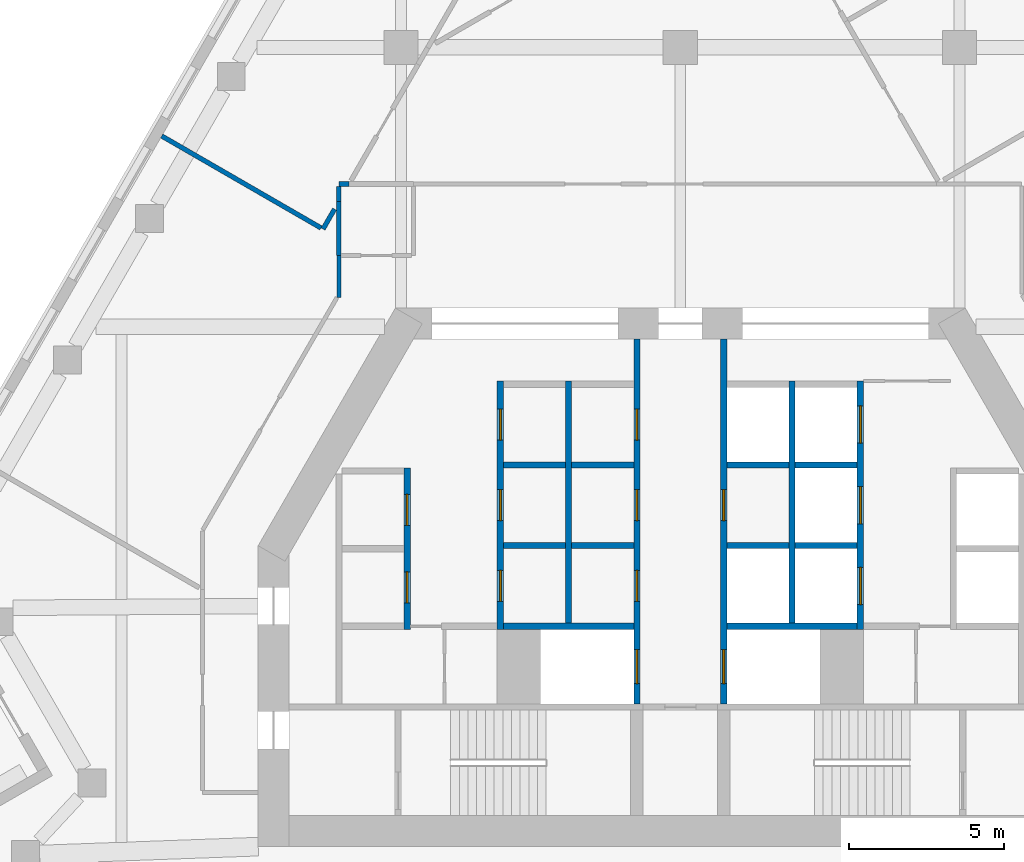
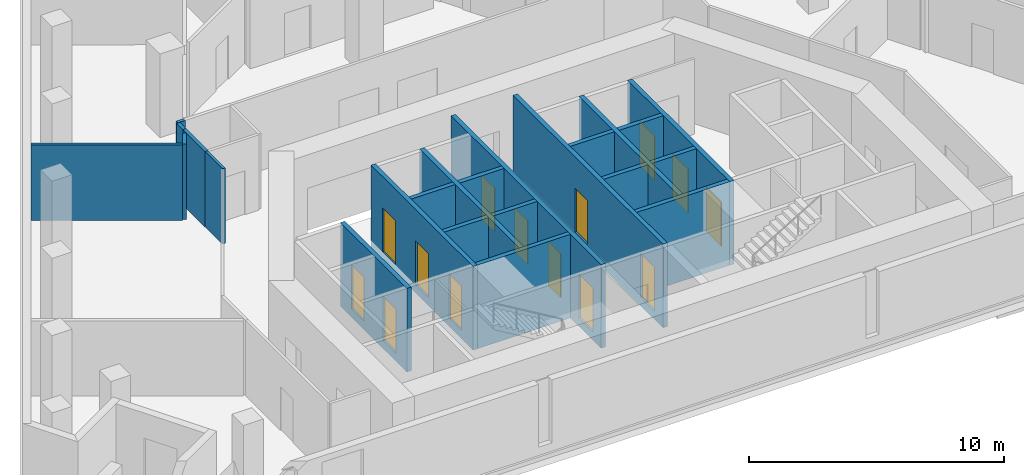
# One storey, part 3 of 8: 23 walls, 14 doors, 14 openings.
"""IFC4 building model written with IfcOpenShell, lengths in metres."""

from ifc_helpers import new_model, si_unit, direction, frame, frame_2d, origin, place, context, subcontext, project, spatial, rectangle, extrude, material, layer, layer_set, type_object, element, fill, save


model = new_model("IFC4")

# Units and contexts
model_context = context("Model", 3, precision=1e-05, world=origin(), true_north=direction((0.0, 1.0)))
body_context = subcontext(model_context, "Body", "Model", "MODEL_VIEW")
ifc_project = project(units=[si_unit("LENGTHUNIT", "METRE"), si_unit("AREAUNIT", "SQUARE_METRE"), si_unit("VOLUMEUNIT", "CUBIC_METRE"), si_unit("PLANEANGLEUNIT", "RADIAN"), si_unit("MASSUNIT", "GRAM", prefix="KILO")], contexts=[model_context])

# Site, building, storey
site_placement = place(None, origin())
site = spatial("IfcSite", under=ifc_project, at=site_placement, CompositionType="ELEMENT")
building_placement = place(site_placement, origin())
building = spatial("IfcBuilding", under=site, at=building_placement, Name="Fogline Exchange Tower", CompositionType="ELEMENT")
storey_placement = place(building_placement, frame((0.0, 0.0, 235.5)))
storey = spatial("IfcBuildingStorey", under=building, at=storey_placement, Name="L53", CompositionType="ELEMENT", Elevation=235.5)

# Walls
ifc_material_1 = material(Name="Concrete C40", Category="concrete")
ifc_layer_1 = layer(ifc_material_1, 0.199951171875)
ifc_layer_set_1 = layer_set([ifc_layer_1], Name="CW20")
wall_type_1 = type_object("IfcWallType", Name="CW20", PredefinedType="SOLIDWALL", material=ifc_layer_set_1)
for number, where, z_axis, x_axis, name in (
    (1, (-5.699951171875, 10.949951171875, 0.0), (0.0, 0.0, 1.0), (1.0, 0.0, 0.0), "Service room wall"),
    (2, (-5.699951171875, 13.550048828125, 0.0), (0.0, 0.0, 1.0), (1.0, 0.0, 0.0), "Service room wall"),
    (3, (-3.5, 10.949951171875, 0.0), (0.0, 0.0, 1.0), (1.0, 0.0, 0.0), "Service room wall"),
    (4, (-3.5, 13.550048828125, 0.0), (0.0, 0.0, 1.0), (1.0, 0.0, 0.0), "Service room wall"),
):
    element("IfcWall", number, at=place(storey_placement, frame(where, z_axis=z_axis, x_axis=x_axis)), inside=storey, type_object=wall_type_1, Name=name, PredefinedType="SOLIDWALL", context=body_context, shape_type="SweptSolid", body=[
        extrude(rectangle(XDim=2.0, YDim=0.199951171875, at=frame_2d((1.0, 0.0))), origin(), (0.0, 0.0, 1.0), 3.60009765625),
    ])

# Wall, openings, doors
ifc_layer_2 = layer(ifc_material_1, 0.199951171875)
ifc_layer_set_2 = layer_set([ifc_layer_2], Name="CW20S")
wall_type_2 = type_object("IfcWallType", Name="CW20S", PredefinedType="SOLIDWALL", material=ifc_layer_set_2)
wall_1_placement = place(storey_placement, frame((-8.800048828125, 8.25, -0.39990234375), z_axis=(0.0, 0.0, 1.0), x_axis=(0.0, 1.0, 0.0)))
wall_1 = element("IfcWall", 5, at=wall_1_placement, inside=storey, type_object=wall_type_2, Name="Lift shaft wall", PredefinedType="SOLIDWALL", context=body_context, shape_type="SweptSolid", body=[
    extrude(rectangle(XDim=5.199951171875, YDim=0.199951171875, at=frame_2d((2.60009765625, 0.0))), origin(), (0.0, 0.0, 1.0), 4.0),
])
opening_1_placement = place(wall_1_placement, frame((0.85009765625, 0.0, 0.39990234375)))
opening_1 = element("IfcOpeningElement", 6, at=opening_1_placement, cuts=wall_1, Name="Opening T17-C001", PredefinedType="OPENING", context=body_context, shape_type="SweptSolid", body=[
    extrude(rectangle(XDim=1.0, YDim=2.10009765625, at=frame_2d((0.5, 1.050048828125))), frame((0.0, 0.10986328125, 0.0), z_axis=(0.0, -1.0, 0.0), x_axis=(1.0, 0.0, 0.0)), (0.0, 0.0, 1.0), 0.219970703125),
])
opening_2_placement = place(wall_1_placement, frame((3.35009765625, 0.0, 0.39990234375)))
opening_2 = element("IfcOpeningElement", 7, at=opening_2_placement, cuts=wall_1, Name="Opening T17-C002", PredefinedType="OPENING", context=body_context, shape_type="SweptSolid", body=[
    extrude(rectangle(XDim=1.0, YDim=2.10009765625, at=frame_2d((0.5, 1.050048828125))), frame((0.0, 0.10986328125, 0.0), z_axis=(0.0, -1.0, 0.0), x_axis=(1.0, 0.0, 0.0)), (0.0, 0.0, 1.0), 0.219970703125),
])
ifc_material_2 = material(Name="Steel and timber fire door", Category="steel")
door_type_1 = type_object("IfcDoorType", Name="D-RM1", OperationType="SINGLE_SWING_LEFT", PredefinedType="DOOR", material=ifc_material_2)
door_1_placement = place(opening_1_placement, origin())
door_1 = element("IfcDoor", 8, at=door_1_placement, inside=storey, type_object=door_type_1, Name="Door to Archive Store", OperationType="SINGLE_SWING_RIGHT", OverallHeight=2.10009765625, OverallWidth=1.0, PredefinedType="DOOR", context=body_context, shape_type="SweptSolid", body=[
    extrude(rectangle(XDim=1.0, YDim=2.10009765625, at=frame_2d((0.5, 1.050048828125))), frame((0.0, 0.02490234375, 0.0), z_axis=(0.0, -1.0, 0.0), x_axis=(1.0, 0.0, 0.0)), (0.0, 0.0, 1.0), 0.050048828125),
])
fill(opening_1, door_1)
door_2_placement = place(opening_2_placement, origin())
door_2 = element("IfcDoor", 9, at=door_2_placement, inside=storey, type_object=door_type_1, Name="Door to Library Store", OperationType="SINGLE_SWING_RIGHT", OverallHeight=2.10009765625, OverallWidth=1.0, PredefinedType="DOOR", context=body_context, shape_type="SweptSolid", body=[
    extrude(rectangle(XDim=1.0, YDim=2.10009765625, at=frame_2d((0.5, 1.050048828125))), frame((0.0, 0.02490234375, 0.0), z_axis=(0.0, -1.0, 0.0), x_axis=(1.0, 0.0, 0.0)), (0.0, 0.0, 1.0), 0.050048828125),
])
fill(opening_2, door_2)

wall_2_placement = place(storey_placement, frame((-5.800048828125, 8.25, -0.39990234375), z_axis=(0.0, 0.0, 1.0), x_axis=(0.0, 1.0, 0.0)))
wall_2 = element("IfcWall", 10, at=wall_2_placement, inside=storey, type_object=wall_type_2, Name="Lift shaft wall", PredefinedType="SOLIDWALL", context=body_context, shape_type="SweptSolid", body=[
    extrude(rectangle(XDim=8.0, YDim=0.199951171875, at=frame_2d((4.0, 0.0))), origin(), (0.0, 0.0, 1.0), 4.0),
])
opening_3_placement = place(wall_2_placement, frame((0.89990234375, 0.0, 0.39990234375)))
opening_3 = element("IfcOpeningElement", 11, at=opening_3_placement, cuts=wall_2, Name="Opening T17-C003", PredefinedType="OPENING", context=body_context, shape_type="SweptSolid", body=[
    extrude(rectangle(XDim=1.0, YDim=2.10009765625, at=frame_2d((0.5, 1.050048828125))), frame((0.0, 0.10986328125, 0.0), z_axis=(0.0, -1.0, 0.0), x_axis=(1.0, 0.0, 0.0)), (0.0, 0.0, 1.0), 0.219970703125),
])
opening_4_placement = place(wall_2_placement, frame((3.5, 0.0, 0.39990234375)))
opening_4 = element("IfcOpeningElement", 12, at=opening_4_placement, cuts=wall_2, Name="Opening T17-C004", PredefinedType="OPENING", context=body_context, shape_type="SweptSolid", body=[
    extrude(rectangle(XDim=1.0, YDim=2.10009765625, at=frame_2d((0.5, 1.050048828125))), frame((0.0, 0.10986328125, 0.0), z_axis=(0.0, -1.0, 0.0), x_axis=(1.0, 0.0, 0.0)), (0.0, 0.0, 1.0), 0.219970703125),
])
opening_5_placement = place(wall_2_placement, frame((6.10009765625, 0.0, 0.39990234375)))
opening_5 = element("IfcOpeningElement", 13, at=opening_5_placement, cuts=wall_2, Name="Opening T17-C005", PredefinedType="OPENING", context=body_context, shape_type="SweptSolid", body=[
    extrude(rectangle(XDim=1.0, YDim=2.10009765625, at=frame_2d((0.5, 1.050048828125))), frame((0.0, 0.10986328125, 0.0), z_axis=(0.0, -1.0, 0.0), x_axis=(1.0, 0.0, 0.0)), (0.0, 0.0, 1.0), 0.219970703125),
])
door_3_placement = place(opening_3_placement, frame((1.0, 0.0, 0.0), z_axis=(0.0, 0.0, 1.0), x_axis=(-1.0, 0.0, 0.0)))
door_3 = element("IfcDoor", 14, at=door_3_placement, inside=storey, type_object=door_type_1, Name="Door to Stationery Store", OperationType="SINGLE_SWING_LEFT", OverallHeight=2.10009765625, OverallWidth=1.0, PredefinedType="DOOR", context=body_context, shape_type="SweptSolid", body=[
    extrude(rectangle(XDim=1.0, YDim=2.10009765625, at=frame_2d((0.5, 1.050048828125))), frame((0.0, 0.02490234375, 0.0), z_axis=(0.0, -1.0, 0.0), x_axis=(1.0, 0.0, 0.0)), (0.0, 0.0, 1.0), 0.050048828125),
])
fill(opening_3, door_3)
door_4_placement = place(opening_4_placement, frame((1.0, 0.0, 0.0), z_axis=(0.0, 0.0, 1.0), x_axis=(-1.0, 0.0, 0.0)))
door_4 = element("IfcDoor", 15, at=door_4_placement, inside=storey, type_object=door_type_1, Name="Door to Records Store", OperationType="SINGLE_SWING_RIGHT", OverallHeight=2.10009765625, OverallWidth=1.0, PredefinedType="DOOR", context=body_context, shape_type="SweptSolid", body=[
    extrude(rectangle(XDim=1.0, YDim=2.10009765625, at=frame_2d((0.5, 1.050048828125))), frame((0.0, 0.02490234375, 0.0), z_axis=(0.0, -1.0, 0.0), x_axis=(1.0, 0.0, 0.0)), (0.0, 0.0, 1.0), 0.050048828125),
])
fill(opening_4, door_4)
door_5_placement = place(opening_5_placement, frame((1.0, 0.0, 0.0), z_axis=(0.0, 0.0, 1.0), x_axis=(-1.0, 0.0, 0.0)))
door_5 = element("IfcDoor", 16, at=door_5_placement, inside=storey, type_object=door_type_1, Name="Door to Riser Room", OperationType="SINGLE_SWING_RIGHT", OverallHeight=2.10009765625, OverallWidth=1.0, PredefinedType="DOOR", context=body_context, shape_type="SweptSolid", body=[
    extrude(rectangle(XDim=1.0, YDim=2.10009765625, at=frame_2d((0.5, 1.050048828125))), frame((0.0, 0.02490234375, 0.0), z_axis=(0.0, -1.0, 0.0), x_axis=(1.0, 0.0, 0.0)), (0.0, 0.0, 1.0), 0.050048828125),
])
fill(opening_5, door_5)

wall_3_placement = place(storey_placement, frame((5.800048828125, 8.25, -0.39990234375), z_axis=(0.0, 0.0, 1.0), x_axis=(0.0, 1.0, 0.0)))
wall_3 = element("IfcWall", 17, at=wall_3_placement, inside=storey, type_object=wall_type_2, Name="Lift shaft wall", PredefinedType="SOLIDWALL", context=body_context, shape_type="SweptSolid", body=[
    extrude(rectangle(XDim=8.0, YDim=0.199951171875, at=frame_2d((4.0, 0.0))), origin(), (0.0, 0.0, 1.0), 4.0),
])
opening_6_placement = place(wall_3_placement, frame((0.800048828125, 0.0, 0.39990234375)))
opening_6 = element("IfcOpeningElement", 18, at=opening_6_placement, cuts=wall_3, Name="Opening T17-LD02", PredefinedType="OPENING", context=body_context, shape_type="SweptSolid", body=[
    extrude(rectangle(XDim=1.199951171875, YDim=2.10009765625, at=frame_2d((0.60009765625, 1.050048828125))), frame((0.0, 0.10986328125, 0.0), z_axis=(0.0, -1.0, 0.0), x_axis=(1.0, 0.0, 0.0)), (0.0, 0.0, 1.0), 0.219970703125),
])
opening_7_placement = place(wall_3_placement, frame((3.39990234375, 0.0, 0.39990234375)))
opening_7 = element("IfcOpeningElement", 19, at=opening_7_placement, cuts=wall_3, Name="Opening T17-LD03", PredefinedType="OPENING", context=body_context, shape_type="SweptSolid", body=[
    extrude(rectangle(XDim=1.199951171875, YDim=2.10009765625, at=frame_2d((0.60009765625, 1.050048828125))), frame((0.0, 0.10986328125, 0.0), z_axis=(0.0, -1.0, 0.0), x_axis=(1.0, 0.0, 0.0)), (0.0, 0.0, 1.0), 0.219970703125),
])
opening_8_placement = place(wall_3_placement, frame((6.0, 0.0, 0.39990234375)))
opening_8 = element("IfcOpeningElement", 20, at=opening_8_placement, cuts=wall_3, Name="Opening T17-LD04", PredefinedType="OPENING", context=body_context, shape_type="SweptSolid", body=[
    extrude(rectangle(XDim=1.199951171875, YDim=2.10009765625, at=frame_2d((0.60009765625, 1.050048828125))), frame((0.0, 0.10986328125, 0.0), z_axis=(0.0, -1.0, 0.0), x_axis=(1.0, 0.0, 0.0)), (0.0, 0.0, 1.0), 0.219970703125),
])
door_type_2 = type_object("IfcDoorType", Name="LD1", OperationType="SLIDING_TO_LEFT", PredefinedType="DOOR", material=ifc_material_2)
door_6_placement = place(opening_6_placement, origin())
door_6 = element("IfcDoor", 21, at=door_6_placement, inside=storey, type_object=door_type_2, Name="Landing door MR1", OperationType="SLIDING_TO_LEFT", OverallHeight=2.10009765625, OverallWidth=1.199951171875, PredefinedType="DOOR", context=body_context, shape_type="SweptSolid", body=[
    extrude(rectangle(XDim=1.199951171875, YDim=2.10009765625, at=frame_2d((0.60009765625, 1.050048828125))), frame((0.0, 0.02490234375, 0.0), z_axis=(0.0, -1.0, 0.0), x_axis=(1.0, 0.0, 0.0)), (0.0, 0.0, 1.0), 0.050048828125),
])
fill(opening_6, door_6)
door_7_placement = place(opening_7_placement, origin())
door_7 = element("IfcDoor", 22, at=door_7_placement, inside=storey, type_object=door_type_2, Name="Landing door MR2", OperationType="SLIDING_TO_LEFT", OverallHeight=2.10009765625, OverallWidth=1.199951171875, PredefinedType="DOOR", context=body_context, shape_type="SweptSolid", body=[
    extrude(rectangle(XDim=1.199951171875, YDim=2.10009765625, at=frame_2d((0.60009765625, 1.050048828125))), frame((0.0, 0.02490234375, 0.0), z_axis=(0.0, -1.0, 0.0), x_axis=(1.0, 0.0, 0.0)), (0.0, 0.0, 1.0), 0.050048828125),
])
fill(opening_7, door_7)
door_8_placement = place(opening_8_placement, origin())
door_8 = element("IfcDoor", 23, at=door_8_placement, inside=storey, type_object=door_type_2, Name="Landing door MR3", OperationType="SLIDING_TO_LEFT", OverallHeight=2.10009765625, OverallWidth=1.199951171875, PredefinedType="DOOR", context=body_context, shape_type="SweptSolid", body=[
    extrude(rectangle(XDim=1.199951171875, YDim=2.10009765625, at=frame_2d((0.60009765625, 1.050048828125))), frame((0.0, 0.02490234375, 0.0), z_axis=(0.0, -1.0, 0.0), x_axis=(1.0, 0.0, 0.0)), (0.0, 0.0, 1.0), 0.050048828125),
])
fill(opening_8, door_8)

# Walls
for number, where, z_axis, x_axis, name in (
    (24, (-3.60009765625, 8.449951171875, -0.39990234375), (0.0, 0.0, 1.0), (0.0, 1.0, 0.0), "Lift shaft wall"),
    (25, (3.60009765625, 8.449951171875, -0.39990234375), (0.0, 0.0, 1.0), (0.0, 1.0, 0.0), "Lift shaft wall"),
):
    element("IfcWall", number, at=place(storey_placement, frame(where, z_axis=z_axis, x_axis=x_axis)), inside=storey, type_object=wall_type_2, Name=name, PredefinedType="SOLIDWALL", context=body_context, shape_type="SweptSolid", body=[
        extrude(rectangle(XDim=7.800048828125, YDim=0.199951171875, at=frame_2d((3.89990234375, 0.0))), origin(), (0.0, 0.0, 1.0), 4.0),
    ])

# Wall, openings, doors
wall_4_placement = place(storey_placement, frame((-1.39990234375, 5.85009765625, -0.39990234375), z_axis=(0.0, 0.0, 1.0), x_axis=(0.0, 1.0, 0.0)))
wall_4 = element("IfcWall", 26, at=wall_4_placement, inside=storey, type_object=wall_type_2, Name="Lift lobby wall", PredefinedType="SOLIDWALL", context=body_context, shape_type="SweptSolid", body=[
    extrude(rectangle(XDim=11.75, YDim=0.199951171875, at=frame_2d((5.875, 0.0))), origin(), (0.0, 0.0, 1.0), 4.0),
])
opening_9_placement = place(wall_4_placement, frame((0.64990234375, 0.0, 0.39990234375)))
opening_9 = element("IfcOpeningElement", 27, at=opening_9_placement, cuts=wall_4, Name="Opening T17-LD01", PredefinedType="OPENING", context=body_context, shape_type="SweptSolid", body=[
    extrude(rectangle(XDim=1.10009765625, YDim=2.10009765625, at=frame_2d((0.550048828125, 1.050048828125))), frame((0.0, 0.10986328125, 0.0), z_axis=(0.0, -1.0, 0.0), x_axis=(1.0, 0.0, 0.0)), (0.0, 0.0, 1.0), 0.219970703125),
])
opening_10_placement = place(wall_4_placement, frame((3.300048828125, 0.0, 0.39990234375)))
opening_10 = element("IfcOpeningElement", 28, at=opening_10_placement, cuts=wall_4, Name="Opening T17-C006", PredefinedType="OPENING", context=body_context, shape_type="SweptSolid", body=[
    extrude(rectangle(XDim=1.0, YDim=2.10009765625, at=frame_2d((0.5, 1.050048828125))), frame((0.0, 0.10986328125, 0.0), z_axis=(0.0, -1.0, 0.0), x_axis=(1.0, 0.0, 0.0)), (0.0, 0.0, 1.0), 0.219970703125),
])
opening_11_placement = place(wall_4_placement, frame((5.89990234375, 0.0, 0.39990234375)))
opening_11 = element("IfcOpeningElement", 29, at=opening_11_placement, cuts=wall_4, Name="Opening T17-C007", PredefinedType="OPENING", context=body_context, shape_type="SweptSolid", body=[
    extrude(rectangle(XDim=1.0, YDim=2.10009765625, at=frame_2d((0.5, 1.050048828125))), frame((0.0, 0.10986328125, 0.0), z_axis=(0.0, -1.0, 0.0), x_axis=(1.0, 0.0, 0.0)), (0.0, 0.0, 1.0), 0.219970703125),
])
opening_12_placement = place(wall_4_placement, frame((8.5, 0.0, 0.39990234375)))
opening_12 = element("IfcOpeningElement", 30, at=opening_12_placement, cuts=wall_4, Name="Opening T17-C008", PredefinedType="OPENING", context=body_context, shape_type="SweptSolid", body=[
    extrude(rectangle(XDim=1.0, YDim=2.10009765625, at=frame_2d((0.5, 1.050048828125))), frame((0.0, 0.10986328125, 0.0), z_axis=(0.0, -1.0, 0.0), x_axis=(1.0, 0.0, 0.0)), (0.0, 0.0, 1.0), 0.219970703125),
])
door_9_placement = place(opening_10_placement, origin())
door_9 = element("IfcDoor", 31, at=door_9_placement, inside=storey, type_object=door_type_1, Name="Door to Plant Room", OperationType="SINGLE_SWING_LEFT", OverallHeight=2.10009765625, OverallWidth=1.0, PredefinedType="DOOR", context=body_context, shape_type="SweptSolid", body=[
    extrude(rectangle(XDim=1.0, YDim=2.10009765625, at=frame_2d((0.5, 1.050048828125))), frame((0.0, 0.02490234375, 0.0), z_axis=(0.0, -1.0, 0.0), x_axis=(1.0, 0.0, 0.0)), (0.0, 0.0, 1.0), 0.050048828125),
])
fill(opening_10, door_9)
door_10_placement = place(opening_11_placement, origin())
door_10 = element("IfcDoor", 32, at=door_10_placement, inside=storey, type_object=door_type_1, Name="Door to Cable Store", OperationType="SINGLE_SWING_LEFT", OverallHeight=2.10009765625, OverallWidth=1.0, PredefinedType="DOOR", context=body_context, shape_type="SweptSolid", body=[
    extrude(rectangle(XDim=1.0, YDim=2.10009765625, at=frame_2d((0.5, 1.050048828125))), frame((0.0, 0.02490234375, 0.0), z_axis=(0.0, -1.0, 0.0), x_axis=(1.0, 0.0, 0.0)), (0.0, 0.0, 1.0), 0.050048828125),
])
fill(opening_11, door_10)
door_11_placement = place(opening_12_placement, origin())
door_11 = element("IfcDoor", 33, at=door_11_placement, inside=storey, type_object=door_type_1, Name="Door to Server Room", OperationType="SINGLE_SWING_LEFT", OverallHeight=2.10009765625, OverallWidth=1.0, PredefinedType="DOOR", context=body_context, shape_type="SweptSolid", body=[
    extrude(rectangle(XDim=1.0, YDim=2.10009765625, at=frame_2d((0.5, 1.050048828125))), frame((0.0, 0.02490234375, 0.0), z_axis=(0.0, -1.0, 0.0), x_axis=(1.0, 0.0, 0.0)), (0.0, 0.0, 1.0), 0.050048828125),
])
fill(opening_12, door_11)
door_type_3 = type_object("IfcDoorType", Name="LD2", OperationType="SLIDING_TO_RIGHT", PredefinedType="DOOR", material=ifc_material_2)
door_12_placement = place(opening_9_placement, origin())
door_12 = element("IfcDoor", 34, at=door_12_placement, inside=storey, type_object=door_type_3, Name="Landing door FF1", OperationType="SLIDING_TO_RIGHT", OverallHeight=2.10009765625, OverallWidth=1.10009765625, PredefinedType="DOOR", context=body_context, shape_type="SweptSolid", body=[
    extrude(rectangle(XDim=1.10009765625, YDim=2.10009765625, at=frame_2d((0.550048828125, 1.050048828125))), frame((0.0, 0.02490234375, 0.0), z_axis=(0.0, -1.0, 0.0), x_axis=(1.0, 0.0, 0.0)), (0.0, 0.0, 1.0), 0.050048828125),
])
fill(opening_9, door_12)

wall_5_placement = place(storey_placement, frame((1.39990234375, 5.85009765625, -0.39990234375), z_axis=(0.0, 0.0, 1.0), x_axis=(0.0, 1.0, 0.0)))
wall_5 = element("IfcWall", 35, at=wall_5_placement, inside=storey, type_object=wall_type_2, Name="Lift lobby wall", PredefinedType="SOLIDWALL", context=body_context, shape_type="SweptSolid", body=[
    extrude(rectangle(XDim=11.75, YDim=0.199951171875, at=frame_2d((5.875, 0.0))), origin(), (0.0, 0.0, 1.0), 4.0),
])
opening_13_placement = place(wall_5_placement, frame((0.64990234375, 0.0, 0.39990234375)))
opening_13 = element("IfcOpeningElement", 36, at=opening_13_placement, cuts=wall_5, Name="Opening T17-LD05", PredefinedType="OPENING", context=body_context, shape_type="SweptSolid", body=[
    extrude(rectangle(XDim=1.10009765625, YDim=2.10009765625, at=frame_2d((0.550048828125, 1.050048828125))), frame((0.0, 0.10986328125, 0.0), z_axis=(0.0, -1.0, 0.0), x_axis=(1.0, 0.0, 0.0)), (0.0, 0.0, 1.0), 0.219970703125),
])
opening_14_placement = place(wall_5_placement, frame((5.89990234375, 0.0, 0.39990234375)))
opening_14 = element("IfcOpeningElement", 37, at=opening_14_placement, cuts=wall_5, Name="Opening T17-C009", PredefinedType="OPENING", context=body_context, shape_type="SweptSolid", body=[
    extrude(rectangle(XDim=1.0, YDim=2.10009765625, at=frame_2d((0.5, 1.050048828125))), frame((0.0, 0.10986328125, 0.0), z_axis=(0.0, -1.0, 0.0), x_axis=(1.0, 0.0, 0.0)), (0.0, 0.0, 1.0), 0.219970703125),
])
door_13_placement = place(opening_14_placement, frame((1.0, 0.0, 0.0), z_axis=(0.0, 0.0, 1.0), x_axis=(-1.0, 0.0, 0.0)))
door_13 = element("IfcDoor", 38, at=door_13_placement, inside=storey, type_object=door_type_1, Name="Door to Records Store", OperationType="SINGLE_SWING_RIGHT", OverallHeight=2.10009765625, OverallWidth=1.0, PredefinedType="DOOR", context=body_context, shape_type="SweptSolid", body=[
    extrude(rectangle(XDim=1.0, YDim=2.10009765625, at=frame_2d((0.5, 1.050048828125))), frame((0.0, 0.02490234375, 0.0), z_axis=(0.0, -1.0, 0.0), x_axis=(1.0, 0.0, 0.0)), (0.0, 0.0, 1.0), 0.050048828125),
])
fill(opening_14, door_13)
door_14_placement = place(opening_13_placement, origin())
door_14 = element("IfcDoor", 39, at=door_14_placement, inside=storey, type_object=door_type_3, Name="Landing door FF2", OperationType="SLIDING_TO_RIGHT", OverallHeight=2.10009765625, OverallWidth=1.10009765625, PredefinedType="DOOR", context=body_context, shape_type="SweptSolid", body=[
    extrude(rectangle(XDim=1.10009765625, YDim=2.10009765625, at=frame_2d((0.550048828125, 1.050048828125))), frame((0.0, 0.02490234375, 0.0), z_axis=(0.0, -1.0, 0.0), x_axis=(1.0, 0.0, 0.0)), (0.0, 0.0, 1.0), 0.050048828125),
])
fill(opening_13, door_14)

# Walls
for number, where, z_axis, x_axis, name in (
    (40, (-5.699951171875, 8.35009765625, -0.39990234375), (0.0, 0.0, 1.0), (1.0, 0.0, 0.0), "Lift shaft wall"),
    (41, (1.5, 8.35009765625, -0.39990234375), (0.0, 0.0, 1.0), (1.0, 0.0, 0.0), "Lift shaft wall"),
):
    element("IfcWall", number, at=place(storey_placement, frame(where, z_axis=z_axis, x_axis=x_axis)), inside=storey, type_object=wall_type_2, Name=name, PredefinedType="SOLIDWALL", context=body_context, shape_type="SweptSolid", body=[
        extrude(rectangle(XDim=4.199951171875, YDim=0.199951171875, at=frame_2d((2.10009765625, 0.0))), origin(), (0.0, 0.0, 1.0), 4.0),
    ])
for number, where, z_axis, x_axis, name in (
    (42, (3.699951171875, 10.949951171875, -0.39990234375), (0.0, 0.0, 1.0), (1.0, 0.0, 0.0), "Lift shaft wall"),
    (43, (3.699951171875, 13.550048828125, -0.39990234375), (0.0, 0.0, 1.0), (1.0, 0.0, 0.0), "Lift shaft wall"),
    (44, (1.5, 10.949951171875, -0.39990234375), (0.0, 0.0, 1.0), (1.0, 0.0, 0.0), "Lift shaft wall"),
    (45, (1.5, 13.550048828125, -0.39990234375), (0.0, 0.0, 1.0), (1.0, 0.0, 0.0), "Lift shaft wall"),
):
    element("IfcWall", number, at=place(storey_placement, frame(where, z_axis=z_axis, x_axis=x_axis)), inside=storey, type_object=wall_type_2, Name=name, PredefinedType="SOLIDWALL", context=body_context, shape_type="SweptSolid", body=[
        extrude(rectangle(XDim=2.0, YDim=0.199951171875, at=frame_2d((1.0, 0.0))), origin(), (0.0, 0.0, 1.0), 4.0),
    ])
ifc_material_3 = material(Name="Plasterboard corridor partition with mineral wool, 2 layers each side")
ifc_layer_3 = layer(ifc_material_3, 0.125)
ifc_layer_set_3 = layer_set([ifc_layer_3], Name="PW2")
wall_type_3 = type_object("IfcWallType", Name="PW2", PredefinedType="PARTITIONING", material=ifc_layer_set_3)
wall_6_placement = place(storey_placement, frame((-11.0, 18.940185546875, 0.0), z_axis=(0.0, 0.0, 1.0), x_axis=(0.0, 1.0, 0.0)))
element("IfcWall", 46, at=wall_6_placement, inside=storey, type_object=wall_type_3, Name="wall-L53-W010", PredefinedType="PARTITIONING", context=body_context, shape_type="SweptSolid", body=[
    extrude(rectangle(XDim=1.35986328125, YDim=0.125, at=frame_2d((0.679931640625, 0.0))), origin(), (0.0, 0.0, 1.0), 3.60009765625),
])
ifc_material_4 = material(Name="Plasterboard demising partition with mineral wool and acoustic board")
ifc_layer_4 = layer(ifc_material_4, 0.14990234375)
ifc_layer_set_4 = layer_set([ifc_layer_4], Name="PW3")
wall_type_4 = type_object("IfcWallType", Name="PW3", PredefinedType="PARTITIONING", material=ifc_layer_set_4)
wall_7_placement = place(storey_placement, frame((-10.6728515625, 22.60009765625, 0.0), z_axis=(0.0, 0.0, 1.0), x_axis=(-1.0, 0.0, 0.0)))
element("IfcWall", 47, at=wall_7_placement, inside=storey, type_object=wall_type_4, Name="wall-L53-W029", PredefinedType="PARTITIONING", context=body_context, shape_type="SweptSolid", body=[
    extrude(rectangle(XDim=0.3271484375, YDim=0.14990234375, at=frame_2d((0.16357421875, 0.0))), origin(), (0.0, 0.0, 1.0), 3.60009765625),
])
wall_8_placement = place(storey_placement, frame((-11.0, 22.52490234375, 0.0), z_axis=(0.0, 0.0, 1.0), x_axis=(0.0, -1.0, 0.0)))
element("IfcWall", 48, at=wall_8_placement, inside=storey, type_object=wall_type_4, Name="wall-L53-W030", PredefinedType="PARTITIONING", context=body_context, shape_type="SweptSolid", body=[
    extrude(rectangle(XDim=0.49169921875, YDim=0.14990234375, at=frame_2d((0.245849609375, 0.0))), origin(), (0.0, 0.0, 1.0), 3.60009765625),
])
wall_9_placement = place(storey_placement, frame((-11.14013671875, 21.79052734375, 0.0), z_axis=(0.0, 0.0, 1.0), x_axis=(-0.499987686533, -0.866032512851, 0.0)))
element("IfcWall", 49, at=wall_9_placement, inside=storey, type_object=wall_type_4, Name="wall-L53-W031", PredefinedType="PARTITIONING", context=body_context, shape_type="SweptSolid", body=[
    extrude(rectangle(XDim=0.74365234375, YDim=0.14990234375, at=frame_2d((0.371826171875, 0.0))), origin(), (0.0, 0.0, 1.0), 3.60009765625),
])
wall_10_placement = place(storey_placement, frame((-11.576904296875, 21.18408203125, 0.0), z_axis=(0.0, 0.0, 1.0), x_axis=(-0.866028447878, 0.499994727438, 0.0)))
element("IfcWall", 50, at=wall_10_placement, inside=storey, type_object=wall_type_4, Name="wall-L53-W032", PredefinedType="PARTITIONING", context=body_context, shape_type="SweptSolid", body=[
    extrude(rectangle(XDim=5.9248046875, YDim=0.14990234375, at=frame_2d((2.96240234375, 0.0))), origin(), (0.0, 0.0, 1.0), 3.60009765625),
])
wall_11_placement = place(storey_placement, frame((-11.0, 20.300048828125, 0.0), z_axis=(0.0, 0.0, 1.0), x_axis=(0.0, 1.0, 0.0)))
element("IfcWall", 51, at=wall_11_placement, inside=storey, type_object=wall_type_4, Name="wall-L53-W033", PredefinedType="PARTITIONING", context=body_context, shape_type="SweptSolid", body=[
    extrude(rectangle(XDim=1.733154296875, YDim=0.14990234375, at=frame_2d((0.86669921875, 0.0))), origin(), (0.0, 0.0, 1.0), 3.60009765625),
])

save(model, "model.ifc")
